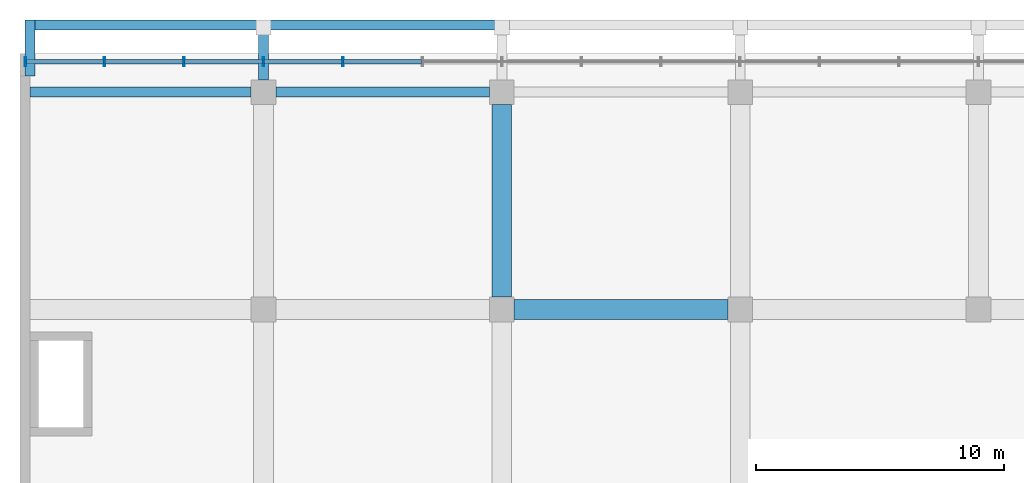
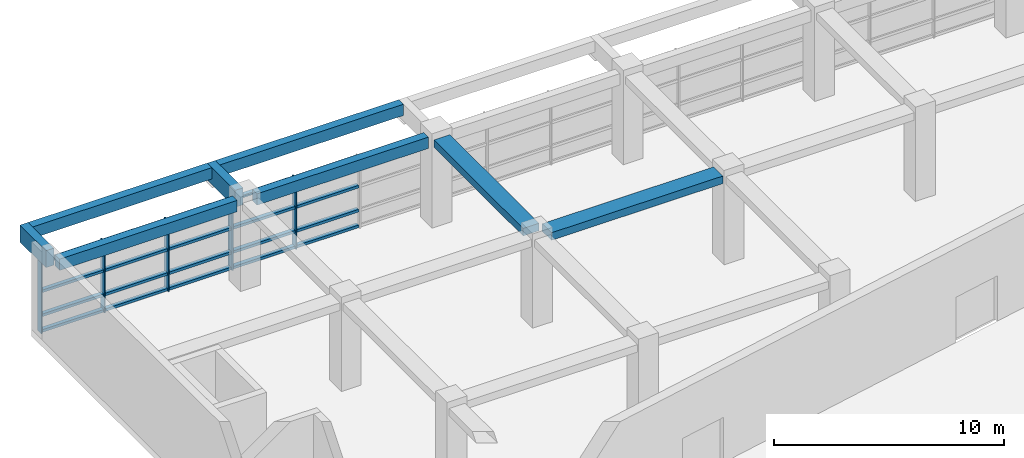
# One storey, part 3 of 31: 25 members, 8 beams, 1 element without a shape of its own.
"""IFC4 building model written with IfcOpenShell, lengths in metres."""

from ifc_helpers import new_model, si_unit, direction, frame, origin, origin_2d, place, context, subcontext, project, spatial, rectangle, hollow_rectangle, extrude, material, layer, layer_set, material_profile, profile_set, type_object, element, aggregate, save


model = new_model("IFC4")

# Units and contexts
model_context = context("Model", 3, precision=1e-05, world=origin(), true_north=direction((0.0, 1.0)))
body_context = subcontext(model_context, "Body", "Model", "MODEL_VIEW")
ifc_project = project(units=[si_unit("LENGTHUNIT", "METRE"), si_unit("AREAUNIT", "SQUARE_METRE"), si_unit("VOLUMEUNIT", "CUBIC_METRE"), si_unit("PLANEANGLEUNIT", "RADIAN"), si_unit("MASSUNIT", "GRAM", prefix="KILO")], contexts=[model_context])

# Site, building, storey
site_placement = place(None, origin())
site = spatial("IfcSite", under=ifc_project, at=site_placement, CompositionType="ELEMENT")
building_placement = place(site_placement, origin())
building = spatial("IfcBuilding", under=site, at=building_placement, Name="Nzadi Deep Aquarium and Research Tower", CompositionType="ELEMENT")
storey_placement = place(building_placement, frame((0.0, 0.0, 21.699951171875)))
storey = spatial("IfcBuildingStorey", under=building, at=storey_placement, Name="L03", CompositionType="ELEMENT", Elevation=21.699951171875)

# Curtain wall, members
ifc_material_1 = material(Name="Aluminium unitised frame tall span", Category="aluminium")
ifc_layer = layer(ifc_material_1, 0.35009765625)
ifc_layer_set = layer_set([ifc_layer], Name="Aluminium unitised frame tall span")
curtain_wall_type = type_object("IfcCurtainWallType", Name="Curtain wall Podium 350", PredefinedType="NOTDEFINED", material=ifc_layer_set)
curtain_wall_placement = place(storey_placement, origin())
curtain_wall = element("IfcCurtainWall", 1, at=curtain_wall_placement, inside=storey, type_object=curtain_wall_type, Name="North cascade curtain wall L03", PredefinedType="NOTDEFINED")
ifc_material_2 = material(Name="Aluminium unitised frame tall span", Category="aluminium")
ifc_material_profile_1 = material_profile(ifc_material_2, hollow_rectangle(XDim=0.35009765625, YDim=0.06005859375, WallThickness=0.0048828125, at=origin_2d()))
ifc_profile_set_1 = profile_set([ifc_material_profile_1], Name="Aluminium unitised frame tall span")
member_type_1 = type_object("IfcMemberType", Name="Mullion 60x350 Podium", PredefinedType="MULLION", material=ifc_profile_set_1)
member_1_placement = place(storey_placement, frame((0.030029296875, 141.574951171875, 0.0), z_axis=(0.0, 0.0, 1.0), x_axis=(0.0, 1.0, 0.0)))
member_1 = element("IfcMember", 2, at=member_1_placement, type_object=member_type_1, Name="CW255 mullion 1", PredefinedType="MULLION", context=body_context, shape_type="SweptSolid", body=[
    extrude(hollow_rectangle(XDim=0.35009765625, YDim=0.06005859375, WallThickness=0.0048828125, at=origin_2d()), origin(), (0.0, 0.0, 1.0), 3.75),
])
member_2_placement = place(storey_placement, frame((3.199951171875, 141.574951171875, 0.0), z_axis=(0.0, 0.0, 1.0), x_axis=(0.0, 1.0, 0.0)))
member_2 = element("IfcMember", 3, at=member_2_placement, type_object=member_type_1, Name="CW255 mullion 2", PredefinedType="MULLION", context=body_context, shape_type="SweptSolid", body=[
    extrude(hollow_rectangle(XDim=0.35009765625, YDim=0.06005859375, WallThickness=0.0048828125, at=origin_2d()), origin(), (0.0, 0.0, 1.0), 3.75),
])
member_3_placement = place(storey_placement, frame((6.39990234375, 141.574951171875, 0.0), z_axis=(0.0, 0.0, 1.0), x_axis=(0.0, 1.0, 0.0)))
member_3 = element("IfcMember", 4, at=member_3_placement, type_object=member_type_1, Name="CW255 mullion 3", PredefinedType="MULLION", context=body_context, shape_type="SweptSolid", body=[
    extrude(hollow_rectangle(XDim=0.35009765625, YDim=0.06005859375, WallThickness=0.0048828125, at=origin_2d()), origin(), (0.0, 0.0, 1.0), 3.75),
])
member_4_placement = place(storey_placement, frame((9.60009765625, 141.574951171875, 0.0), z_axis=(0.0, 0.0, 1.0), x_axis=(0.0, 1.0, 0.0)))
member_4 = element("IfcMember", 5, at=member_4_placement, type_object=member_type_1, Name="CW255 mullion 4", PredefinedType="MULLION", context=body_context, shape_type="SweptSolid", body=[
    extrude(hollow_rectangle(XDim=0.35009765625, YDim=0.06005859375, WallThickness=0.0048828125, at=origin_2d()), origin(), (0.0, 0.0, 1.0), 3.75),
])
member_5_placement = place(storey_placement, frame((12.800048828125, 141.574951171875, 0.0), z_axis=(0.0, 0.0, 1.0), x_axis=(0.0, 1.0, 0.0)))
member_5 = element("IfcMember", 6, at=member_5_placement, type_object=member_type_1, Name="CW255 mullion 5", PredefinedType="MULLION", context=body_context, shape_type="SweptSolid", body=[
    extrude(hollow_rectangle(XDim=0.35009765625, YDim=0.06005859375, WallThickness=0.0048828125, at=origin_2d()), origin(), (0.0, 0.0, 1.0), 3.75),
])

# Beams
ifc_material_3 = material(Name="Concrete C35/45", Category="concrete")
ifc_material_profile_2 = material_profile(ifc_material_3, rectangle(XDim=0.39990234375, YDim=0.60009765625, at=origin_2d()))
ifc_profile_set_2 = profile_set([ifc_material_profile_2], Name="Concrete C35/45")
beam_type_1 = type_object("IfcBeamType", Name="RC 400x600", PredefinedType="BEAM", material=ifc_profile_set_2)
beam_1_placement = place(storey_placement, frame((0.199951171875, 140.35009765625, 4.35009765625), z_axis=(1.0, 0.0, 0.0), x_axis=(0.0, 1.0, 0.0)))
element("IfcBeam", 7, at=beam_1_placement, inside=storey, type_object=beam_type_1, Name="B-Z3-L03-L18-1", PredefinedType="BEAM", context=body_context, shape_type="SweptSolid", body=[
    extrude(rectangle(XDim=0.39990234375, YDim=0.60009765625, at=origin_2d()), origin(), (0.0, 0.0, 1.0), 8.900146484375),
])
beam_2_placement = place(storey_placement, frame((10.10009765625, 140.35009765625, 4.35009765625), z_axis=(1.0, 0.0, 0.0), x_axis=(0.0, 1.0, 0.0)))
element("IfcBeam", 8, at=beam_2_placement, inside=storey, type_object=beam_type_1, Name="B-Z3-L03-L18-2", PredefinedType="BEAM", context=body_context, shape_type="SweptSolid", body=[
    extrude(rectangle(XDim=0.39990234375, YDim=0.60009765625, at=origin_2d()), origin(), (0.0, 0.0, 1.0), 8.599853515625),
])
beam_3_placement = place(storey_placement, frame((0.39990234375, 143.050048828125, 4.35009765625), z_axis=(1.0, 0.0, 0.0), x_axis=(0.0, 1.0, 0.0)))
element("IfcBeam", 9, at=beam_3_placement, inside=storey, type_object=beam_type_1, Name="B-Z3-L04-TB1", PredefinedType="BEAM", context=body_context, shape_type="SweptSolid", body=[
    extrude(rectangle(XDim=0.39990234375, YDim=0.60009765625, at=origin_2d()), origin(), (0.0, 0.0, 1.0), 9.0),
])
beam_4_placement = place(storey_placement, frame((9.800048828125, 143.050048828125, 4.35009765625), z_axis=(1.0, 0.0, 0.0), x_axis=(0.0, 1.0, 0.0)))
element("IfcBeam", 10, at=beam_4_placement, inside=storey, type_object=beam_type_1, Name="B-Z3-L04-TB2", PredefinedType="BEAM", context=body_context, shape_type="SweptSolid", body=[
    extrude(rectangle(XDim=0.39990234375, YDim=0.60009765625, at=origin_2d()), origin(), (0.0, 0.0, 1.0), 9.199951171875),
])
ifc_material_4 = material(Name="Concrete C35/45", Category="concrete")
ifc_material_profile_3 = material_profile(ifc_material_4, rectangle(XDim=0.39990234375, YDim=0.89990234375, at=origin_2d()))
ifc_profile_set_3 = profile_set([ifc_material_profile_3], Name="Concrete C35/45")
beam_type_2 = type_object("IfcBeamType", Name="RC 400x900", PredefinedType="BEAM", material=ifc_profile_set_3)
beam_5_placement = place(storey_placement, frame((0.199951171875, 141.0, 4.199951171875), z_axis=(0.0, 1.0, 0.0), x_axis=(-1.0, 0.0, 0.0)))
element("IfcBeam", 11, at=beam_5_placement, inside=storey, type_object=beam_type_2, Name="B-Z3-L04-CB1", PredefinedType="BEAM", context=body_context, shape_type="SweptSolid", body=[
    extrude(rectangle(XDim=0.39990234375, YDim=0.89990234375, at=origin_2d()), origin(), (0.0, 0.0, 1.0), 2.25),
])
beam_6_placement = place(storey_placement, frame((9.60009765625, 140.85009765625, 4.199951171875), z_axis=(0.0, 1.0, 0.0), x_axis=(-1.0, 0.0, 0.0)))
element("IfcBeam", 12, at=beam_6_placement, inside=storey, type_object=beam_type_2, Name="B-Z3-L04-CB2", PredefinedType="BEAM", context=body_context, shape_type="SweptSolid", body=[
    extrude(rectangle(XDim=0.39990234375, YDim=0.89990234375, at=origin_2d()), origin(), (0.0, 0.0, 1.0), 2.39990234375),
])
ifc_material_5 = material(Name="Concrete C35/45", Category="concrete")
ifc_material_profile_4 = material_profile(ifc_material_5, rectangle(XDim=0.800048828125, YDim=0.39990234375, at=origin_2d()))
ifc_profile_set_4 = profile_set([ifc_material_profile_4], Name="Concrete C35/45")
beam_type_3 = type_object("IfcBeamType", Name="RC 800x400", PredefinedType="BEAM", material=ifc_profile_set_4)
beam_7_placement = place(storey_placement, frame((19.699951171875, 131.60009765625, 4.449951171875), z_axis=(1.0, 0.0, 0.0), x_axis=(0.0, 1.0, 0.0)))
element("IfcBeam", 13, at=beam_7_placement, inside=storey, type_object=beam_type_3, Name="B-Z3-L03-L17-3", PredefinedType="BEAM", context=body_context, shape_type="SweptSolid", body=[
    extrude(rectangle(XDim=0.800048828125, YDim=0.39990234375, at=origin_2d()), origin(), (0.0, 0.0, 1.0), 8.60009765625),
])
beam_8_placement = place(storey_placement, frame((19.199951171875, 132.10009765625, 4.449951171875), z_axis=(0.0, 1.0, 0.0), x_axis=(-1.0, 0.0, 0.0)))
element("IfcBeam", 14, at=beam_8_placement, inside=storey, type_object=beam_type_3, Name="B-Z3-L03-CC-5-13", PredefinedType="BEAM", context=body_context, shape_type="SweptSolid", body=[
    extrude(rectangle(XDim=0.800048828125, YDim=0.39990234375, at=origin_2d()), origin(), (0.0, 0.0, 1.0), 7.75),
])

# Member
ifc_material_6 = material(Name="Aluminium unitised frame tall span", Category="aluminium")
ifc_material_profile_5 = material_profile(ifc_material_6, hollow_rectangle(XDim=0.199951171875, YDim=0.139892578125, WallThickness=0.0048828125, at=origin_2d()))
ifc_profile_set_5 = profile_set([ifc_material_profile_5], Name="Aluminium unitised frame tall span")
member_type_2 = type_object("IfcMemberType", Name="Transom 140x200 Podium", PredefinedType="MULLION", material=ifc_profile_set_5)
member_6_placement = place(storey_placement, frame((0.06005859375, 141.574951171875, 0.070068359375), z_axis=(1.0, 0.0, 0.0), x_axis=(0.0, 1.0, 0.0)))
member_6 = element("IfcMember", 15, at=member_6_placement, type_object=member_type_2, Name="CW255 transom 1.1", PredefinedType="MULLION", context=body_context, shape_type="SweptSolid", body=[
    extrude(hollow_rectangle(XDim=0.199951171875, YDim=0.139892578125, WallThickness=0.0048828125, at=origin_2d()), origin(), (0.0, 0.0, 1.0), 3.10986328125),
])

member_7_placement = place(storey_placement, frame((0.06005859375, 141.574951171875, 0.900146484375), z_axis=(1.0, 0.0, 0.0), x_axis=(0.0, 1.0, 0.0)))
member_7 = element("IfcMember", 16, at=member_7_placement, type_object=member_type_2, Name="CW255 transom 1.2", PredefinedType="MULLION", context=body_context, shape_type="SweptSolid", body=[
    extrude(hollow_rectangle(XDim=0.199951171875, YDim=0.139892578125, WallThickness=0.0048828125, at=origin_2d()), origin(), (0.0, 0.0, 1.0), 3.10986328125),
])

member_8_placement = place(storey_placement, frame((0.06005859375, 141.574951171875, 2.175048828125), z_axis=(1.0, 0.0, 0.0), x_axis=(0.0, 1.0, 0.0)))
member_8 = element("IfcMember", 17, at=member_8_placement, type_object=member_type_2, Name="CW255 transom 1.3", PredefinedType="MULLION", context=body_context, shape_type="SweptSolid", body=[
    extrude(hollow_rectangle(XDim=0.199951171875, YDim=0.139892578125, WallThickness=0.0048828125, at=origin_2d()), origin(), (0.0, 0.0, 1.0), 3.10986328125),
])

member_9_placement = place(storey_placement, frame((0.06005859375, 141.574951171875, 3.679931640625), z_axis=(1.0, 0.0, 0.0), x_axis=(0.0, 1.0, 0.0)))
member_9 = element("IfcMember", 18, at=member_9_placement, type_object=member_type_2, Name="CW255 transom 1.4", PredefinedType="MULLION", context=body_context, shape_type="SweptSolid", body=[
    extrude(hollow_rectangle(XDim=0.199951171875, YDim=0.139892578125, WallThickness=0.0048828125, at=origin_2d()), origin(), (0.0, 0.0, 1.0), 3.10986328125),
])

member_10_placement = place(storey_placement, frame((3.22998046875, 141.574951171875, 0.070068359375), z_axis=(1.0, 0.0, 0.0), x_axis=(0.0, 1.0, 0.0)))
member_10 = element("IfcMember", 19, at=member_10_placement, type_object=member_type_2, Name="CW255 transom 2.1", PredefinedType="MULLION", context=body_context, shape_type="SweptSolid", body=[
    extrude(hollow_rectangle(XDim=0.199951171875, YDim=0.139892578125, WallThickness=0.0048828125, at=origin_2d()), origin(), (0.0, 0.0, 1.0), 3.14013671875),
])

member_11_placement = place(storey_placement, frame((3.22998046875, 141.574951171875, 0.900146484375), z_axis=(1.0, 0.0, 0.0), x_axis=(0.0, 1.0, 0.0)))
member_11 = element("IfcMember", 20, at=member_11_placement, type_object=member_type_2, Name="CW255 transom 2.2", PredefinedType="MULLION", context=body_context, shape_type="SweptSolid", body=[
    extrude(hollow_rectangle(XDim=0.199951171875, YDim=0.139892578125, WallThickness=0.0048828125, at=origin_2d()), origin(), (0.0, 0.0, 1.0), 3.14013671875),
])

member_12_placement = place(storey_placement, frame((3.22998046875, 141.574951171875, 2.175048828125), z_axis=(1.0, 0.0, 0.0), x_axis=(0.0, 1.0, 0.0)))
member_12 = element("IfcMember", 21, at=member_12_placement, type_object=member_type_2, Name="CW255 transom 2.3", PredefinedType="MULLION", context=body_context, shape_type="SweptSolid", body=[
    extrude(hollow_rectangle(XDim=0.199951171875, YDim=0.139892578125, WallThickness=0.0048828125, at=origin_2d()), origin(), (0.0, 0.0, 1.0), 3.14013671875),
])

member_13_placement = place(storey_placement, frame((3.22998046875, 141.574951171875, 3.679931640625), z_axis=(1.0, 0.0, 0.0), x_axis=(0.0, 1.0, 0.0)))
member_13 = element("IfcMember", 22, at=member_13_placement, type_object=member_type_2, Name="CW255 transom 2.4", PredefinedType="MULLION", context=body_context, shape_type="SweptSolid", body=[
    extrude(hollow_rectangle(XDim=0.199951171875, YDim=0.139892578125, WallThickness=0.0048828125, at=origin_2d()), origin(), (0.0, 0.0, 1.0), 3.14013671875),
])

member_14_placement = place(storey_placement, frame((6.429931640625, 141.574951171875, 0.070068359375), z_axis=(1.0, 0.0, 0.0), x_axis=(0.0, 1.0, 0.0)))
member_14 = element("IfcMember", 23, at=member_14_placement, type_object=member_type_2, Name="CW255 transom 3.1", PredefinedType="MULLION", context=body_context, shape_type="SweptSolid", body=[
    extrude(hollow_rectangle(XDim=0.199951171875, YDim=0.139892578125, WallThickness=0.0048828125, at=origin_2d()), origin(), (0.0, 0.0, 1.0), 3.14013671875),
])

member_15_placement = place(storey_placement, frame((6.429931640625, 141.574951171875, 0.900146484375), z_axis=(1.0, 0.0, 0.0), x_axis=(0.0, 1.0, 0.0)))
member_15 = element("IfcMember", 24, at=member_15_placement, type_object=member_type_2, Name="CW255 transom 3.2", PredefinedType="MULLION", context=body_context, shape_type="SweptSolid", body=[
    extrude(hollow_rectangle(XDim=0.199951171875, YDim=0.139892578125, WallThickness=0.0048828125, at=origin_2d()), origin(), (0.0, 0.0, 1.0), 3.14013671875),
])

member_16_placement = place(storey_placement, frame((6.429931640625, 141.574951171875, 2.175048828125), z_axis=(1.0, 0.0, 0.0), x_axis=(0.0, 1.0, 0.0)))
member_16 = element("IfcMember", 25, at=member_16_placement, type_object=member_type_2, Name="CW255 transom 3.3", PredefinedType="MULLION", context=body_context, shape_type="SweptSolid", body=[
    extrude(hollow_rectangle(XDim=0.199951171875, YDim=0.139892578125, WallThickness=0.0048828125, at=origin_2d()), origin(), (0.0, 0.0, 1.0), 3.14013671875),
])

member_17_placement = place(storey_placement, frame((6.429931640625, 141.574951171875, 3.679931640625), z_axis=(1.0, 0.0, 0.0), x_axis=(0.0, 1.0, 0.0)))
member_17 = element("IfcMember", 26, at=member_17_placement, type_object=member_type_2, Name="CW255 transom 3.4", PredefinedType="MULLION", context=body_context, shape_type="SweptSolid", body=[
    extrude(hollow_rectangle(XDim=0.199951171875, YDim=0.139892578125, WallThickness=0.0048828125, at=origin_2d()), origin(), (0.0, 0.0, 1.0), 3.14013671875),
])

member_18_placement = place(storey_placement, frame((9.6298828125, 141.574951171875, 0.070068359375), z_axis=(1.0, 0.0, 0.0), x_axis=(0.0, 1.0, 0.0)))
member_18 = element("IfcMember", 27, at=member_18_placement, type_object=member_type_2, Name="CW255 transom 4.1", PredefinedType="MULLION", context=body_context, shape_type="SweptSolid", body=[
    extrude(hollow_rectangle(XDim=0.199951171875, YDim=0.139892578125, WallThickness=0.0048828125, at=origin_2d()), origin(), (0.0, 0.0, 1.0), 3.14013671875),
])

member_19_placement = place(storey_placement, frame((9.6298828125, 141.574951171875, 0.900146484375), z_axis=(1.0, 0.0, 0.0), x_axis=(0.0, 1.0, 0.0)))
member_19 = element("IfcMember", 28, at=member_19_placement, type_object=member_type_2, Name="CW255 transom 4.2", PredefinedType="MULLION", context=body_context, shape_type="SweptSolid", body=[
    extrude(hollow_rectangle(XDim=0.199951171875, YDim=0.139892578125, WallThickness=0.0048828125, at=origin_2d()), origin(), (0.0, 0.0, 1.0), 3.14013671875),
])

member_20_placement = place(storey_placement, frame((9.6298828125, 141.574951171875, 2.175048828125), z_axis=(1.0, 0.0, 0.0), x_axis=(0.0, 1.0, 0.0)))
member_20 = element("IfcMember", 29, at=member_20_placement, type_object=member_type_2, Name="CW255 transom 4.3", PredefinedType="MULLION", context=body_context, shape_type="SweptSolid", body=[
    extrude(hollow_rectangle(XDim=0.199951171875, YDim=0.139892578125, WallThickness=0.0048828125, at=origin_2d()), origin(), (0.0, 0.0, 1.0), 3.14013671875),
])

member_21_placement = place(storey_placement, frame((9.6298828125, 141.574951171875, 3.679931640625), z_axis=(1.0, 0.0, 0.0), x_axis=(0.0, 1.0, 0.0)))
member_21 = element("IfcMember", 30, at=member_21_placement, type_object=member_type_2, Name="CW255 transom 4.4", PredefinedType="MULLION", context=body_context, shape_type="SweptSolid", body=[
    extrude(hollow_rectangle(XDim=0.199951171875, YDim=0.139892578125, WallThickness=0.0048828125, at=origin_2d()), origin(), (0.0, 0.0, 1.0), 3.14013671875),
])

member_22_placement = place(storey_placement, frame((12.830078125, 141.574951171875, 0.070068359375), z_axis=(1.0, 0.0, 0.0), x_axis=(0.0, 1.0, 0.0)))
member_22 = element("IfcMember", 31, at=member_22_placement, type_object=member_type_2, Name="CW255 transom 5.1", PredefinedType="MULLION", context=body_context, shape_type="SweptSolid", body=[
    extrude(hollow_rectangle(XDim=0.199951171875, YDim=0.139892578125, WallThickness=0.0048828125, at=origin_2d()), origin(), (0.0, 0.0, 1.0), 3.139892578125),
])

member_23_placement = place(storey_placement, frame((12.830078125, 141.574951171875, 0.900146484375), z_axis=(1.0, 0.0, 0.0), x_axis=(0.0, 1.0, 0.0)))
member_23 = element("IfcMember", 32, at=member_23_placement, type_object=member_type_2, Name="CW255 transom 5.2", PredefinedType="MULLION", context=body_context, shape_type="SweptSolid", body=[
    extrude(hollow_rectangle(XDim=0.199951171875, YDim=0.139892578125, WallThickness=0.0048828125, at=origin_2d()), origin(), (0.0, 0.0, 1.0), 3.139892578125),
])

member_24_placement = place(storey_placement, frame((12.830078125, 141.574951171875, 2.175048828125), z_axis=(1.0, 0.0, 0.0), x_axis=(0.0, 1.0, 0.0)))
member_24 = element("IfcMember", 33, at=member_24_placement, type_object=member_type_2, Name="CW255 transom 5.3", PredefinedType="MULLION", context=body_context, shape_type="SweptSolid", body=[
    extrude(hollow_rectangle(XDim=0.199951171875, YDim=0.139892578125, WallThickness=0.0048828125, at=origin_2d()), origin(), (0.0, 0.0, 1.0), 3.139892578125),
])

member_25_placement = place(storey_placement, frame((12.830078125, 141.574951171875, 3.679931640625), z_axis=(1.0, 0.0, 0.0), x_axis=(0.0, 1.0, 0.0)))
member_25 = element("IfcMember", 34, at=member_25_placement, type_object=member_type_2, Name="CW255 transom 5.4", PredefinedType="MULLION", context=body_context, shape_type="SweptSolid", body=[
    extrude(hollow_rectangle(XDim=0.199951171875, YDim=0.139892578125, WallThickness=0.0048828125, at=origin_2d()), origin(), (0.0, 0.0, 1.0), 3.139892578125),
])

aggregate(curtain_wall, [member_1, member_2, member_3, member_4, member_5, member_6, member_7, member_8, member_9, member_10, member_11, member_12, member_13, member_14, member_15, member_16, member_17, member_18, member_19, member_20, member_21, member_22, member_23, member_24, member_25])

save(model, "model.ifc")
